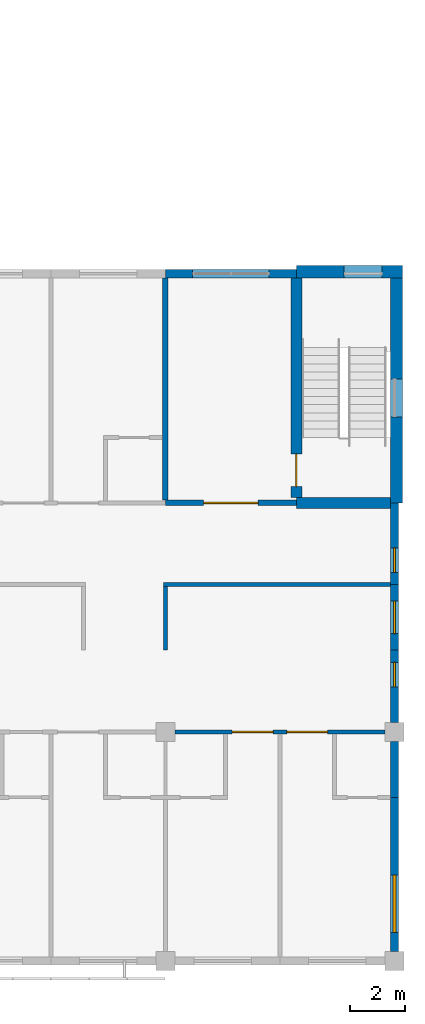
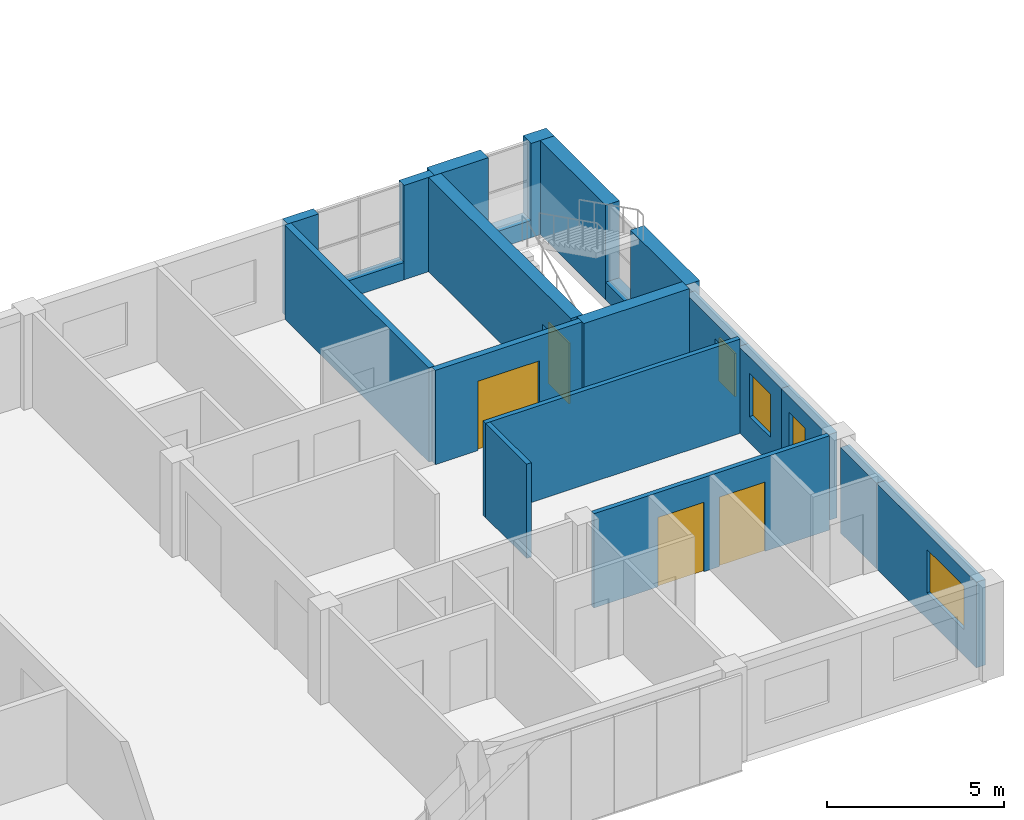
# One storey, part 38 of 46: 21 walls, 4 doors, 4 windows, 8 openings.
"""IFC4 building model written with IfcOpenShell, lengths in metres."""

from ifc_helpers import new_model, si_unit, direction, frame, frame_2d, origin, place, context, subcontext, project, spatial, rectangle, extrude, material, layer, layer_set, type_object, element, fill, save


model = new_model("IFC4")

# Units and contexts
model_context = context("Model", 3, precision=1e-05, world=origin(), true_north=direction((0.0, 1.0)))
body_context = subcontext(model_context, "Body", "Model", "MODEL_VIEW")
ifc_project = project(units=[si_unit("LENGTHUNIT", "METRE"), si_unit("AREAUNIT", "SQUARE_METRE"), si_unit("VOLUMEUNIT", "CUBIC_METRE"), si_unit("PLANEANGLEUNIT", "RADIAN"), si_unit("MASSUNIT", "GRAM", prefix="KILO")], contexts=[model_context])

# Site, building, storey
site_placement = place(None, origin())
site = spatial("IfcSite", under=ifc_project, at=site_placement, CompositionType="ELEMENT")
building_placement = place(site_placement, origin())
building = spatial("IfcBuilding", under=site, at=building_placement, Name="Yavir Park General Hospital", CompositionType="ELEMENT")
storey_placement = place(building_placement, frame((0.0, 0.0, 18.89990234375)))
storey = spatial("IfcBuildingStorey", under=building, at=storey_placement, Name="L04", CompositionType="ELEMENT", Elevation=18.89990234375)

# Wall, opening, door
ifc_material_1 = material(Name="Double gypsum board fire partition on steel studs", Category="steel")
ifc_layer_1 = layer(ifc_material_1, 0.199951171875)
ifc_layer_set_1 = layer_set([ifc_layer_1], Name="Double gypsum board fire partition on steel studs")
wall_type_1 = type_object("IfcWallType", Name="Fire-rated partition 200, EI 60", PredefinedType="PARTITIONING", material=ifc_layer_set_1)
wall_1_placement = place(storey_placement, frame((159.60009765625, 16.800048828125, 0.0), z_axis=(0.0, 0.0, 1.0), x_axis=(1.0, 0.0, 0.0)))
wall_1 = element("IfcWall", 1, at=wall_1_placement, inside=storey, type_object=wall_type_1, Name="FP20 L04-045", PredefinedType="PARTITIONING", context=body_context, shape_type="SweptSolid", body=[
    extrude(rectangle(XDim=4.7998046875, YDim=0.199951171875, at=frame_2d((2.39990234375, 0.0))), origin(), (0.0, 0.0, 1.0), 3.260009765625),
])
opening_1_placement = place(wall_1_placement, frame((1.39990234375, 0.0, 0.0)))
opening_1 = element("IfcOpeningElement", 2, at=opening_1_placement, cuts=wall_1, Name="Opening L04.D048", PredefinedType="OPENING", context=body_context, shape_type="SweptSolid", body=[
    extrude(rectangle(XDim=2.0, YDim=2.39990234375, at=frame_2d((1.0, 1.199951171875))), frame((0.0, 0.10986328125, 0.0), z_axis=(0.0, -1.0, 0.0), x_axis=(1.0, 0.0, 0.0)), (0.0, 0.0, 1.0), 0.219970703125),
])
ifc_material_2 = material(Name="Steel frame, fire-resisting leaves with vision panels", Category="steel")
door_type_1 = type_object("IfcDoorType", Name="Double fire door with vision panels 2000 x 2400, EI 60", OperationType="DOUBLE_DOOR_SINGLE_SWING", PredefinedType="DOOR", material=ifc_material_2)
door_1_placement = place(opening_1_placement, origin())
door_1 = element("IfcDoor", 3, at=door_1_placement, inside=storey, type_object=door_type_1, Name="L04.D048", OperationType="SINGLE_SWING_RIGHT", OverallHeight=2.39990234375, OverallWidth=2.0, PredefinedType="DOOR", context=body_context, shape_type="SweptSolid", body=[
    extrude(rectangle(XDim=2.0, YDim=2.39990234375, at=frame_2d((1.0, 1.199951171875))), frame((0.0, 0.030029296875, 0.0), z_axis=(0.0, -1.0, 0.0), x_axis=(1.0, 0.0, 0.0)), (0.0, 0.0, 1.0), 0.06005859375),
])
fill(opening_1, door_1)

# Wall
wall_2_placement = place(storey_placement, frame((159.60009765625, 16.89990234375, 0.0), z_axis=(0.0, 0.0, 1.0), x_axis=(0.0, 1.0, 0.0)))
element("IfcWall", 4, at=wall_2_placement, inside=storey, type_object=wall_type_1, Name="FP20 L04-272", PredefinedType="PARTITIONING", context=body_context, shape_type="SweptSolid", body=[
    extrude(rectangle(XDim=8.150146484375, YDim=0.199951171875, at=frame_2d((4.0751953125, 0.0))), origin(), (0.0, 0.0, 1.0), 3.260009765625),
])

# Wall, openings, doors
ifc_material_3 = material(Name="Gypsum board partition on steel studs", Category="steel")
ifc_layer_2 = layer(ifc_material_3, 0.14990234375)
ifc_layer_set_2 = layer_set([ifc_layer_2], Name="Gypsum board partition on steel studs")
wall_type_2 = type_object("IfcWallType", Name="Gypsum board partition 150", PredefinedType="PARTITIONING", material=ifc_layer_set_2)
wall_3_placement = place(storey_placement, frame((159.949951171875, 8.39990234375, 0.0), z_axis=(0.0, 0.0, 1.0), x_axis=(1.0, 0.0, 0.0)))
wall_3 = element("IfcWall", 5, at=wall_3_placement, inside=storey, type_object=wall_type_2, Name="P15 L04-023", PredefinedType="PARTITIONING", context=body_context, shape_type="SweptSolid", body=[
    extrude(rectangle(XDim=7.699951171875, YDim=0.14990234375, at=frame_2d((3.85009765625, 0.0))), origin(), (0.0, 0.0, 1.0), 3.260009765625),
])
opening_2_placement = place(wall_3_placement, frame((2.10009765625, 0.0, 0.0)))
opening_2 = element("IfcOpeningElement", 6, at=opening_2_placement, cuts=wall_3, Name="Opening L04.D030", PredefinedType="OPENING", context=body_context, shape_type="SweptSolid", body=[
    extrude(rectangle(XDim=1.5, YDim=2.39990234375, at=frame_2d((0.75, 1.199951171875))), frame((0.0, 0.0849609375, 0.0), z_axis=(0.0, -1.0, 0.0), x_axis=(1.0, 0.0, 0.0)), (0.0, 0.0, 1.0), 0.169921875),
])
opening_3_placement = place(wall_3_placement, frame((4.10009765625, 0.0, 0.0)))
opening_3 = element("IfcOpeningElement", 7, at=opening_3_placement, cuts=wall_3, Name="Opening L04.D031", PredefinedType="OPENING", context=body_context, shape_type="SweptSolid", body=[
    extrude(rectangle(XDim=1.5, YDim=2.39990234375, at=frame_2d((0.75, 1.199951171875))), frame((0.0, 0.0849609375, 0.0), z_axis=(0.0, -1.0, 0.0), x_axis=(1.0, 0.0, 0.0)), (0.0, 0.0, 1.0), 0.169921875),
])
ifc_material_4 = material(Name="Solid-core timber leaves, push plates, kick plates", Category="wood")
door_type_2 = type_object("IfcDoorType", Name="Bed door, unequal leaves 1500 x 2400", OperationType="DOUBLE_DOOR_SINGLE_SWING", PredefinedType="DOOR", material=ifc_material_4)
door_2_placement = place(opening_2_placement, origin())
door_2 = element("IfcDoor", 8, at=door_2_placement, inside=storey, type_object=door_type_2, Name="L04.D030", OperationType="SINGLE_SWING_LEFT", OverallHeight=2.39990234375, OverallWidth=1.5, PredefinedType="DOOR", context=body_context, shape_type="SweptSolid", body=[
    extrude(rectangle(XDim=1.5, YDim=2.39990234375, at=frame_2d((0.75, 1.199951171875))), frame((0.0, 0.030029296875, 0.0), z_axis=(0.0, -1.0, 0.0), x_axis=(1.0, 0.0, 0.0)), (0.0, 0.0, 1.0), 0.06005859375),
])
fill(opening_2, door_2)
door_3_placement = place(opening_3_placement, origin())
door_3 = element("IfcDoor", 9, at=door_3_placement, inside=storey, type_object=door_type_2, Name="L04.D031", OperationType="SINGLE_SWING_LEFT", OverallHeight=2.39990234375, OverallWidth=1.5, PredefinedType="DOOR", context=body_context, shape_type="SweptSolid", body=[
    extrude(rectangle(XDim=1.5, YDim=2.39990234375, at=frame_2d((0.75, 1.199951171875))), frame((0.0, 0.030029296875, 0.0), z_axis=(0.0, -1.0, 0.0), x_axis=(1.0, 0.0, 0.0)), (0.0, 0.0, 1.0), 0.06005859375),
])
fill(opening_3, door_3)

# Walls
wall_4_placement = place(storey_placement, frame((159.52490234375, 13.800048828125, 0.0), z_axis=(0.0, 0.0, 1.0), x_axis=(1.0, 0.0, 0.0)))
element("IfcWall", 10, at=wall_4_placement, inside=storey, type_object=wall_type_2, Name="P15 L04-035", PredefinedType="PARTITIONING", context=body_context, shape_type="SweptSolid", body=[
    extrude(rectangle(XDim=8.3251953125, YDim=0.14990234375, at=frame_2d((4.16259765625, 0.0))), origin(), (0.0, 0.0, 1.0), 3.260009765625),
])
wall_5_placement = place(storey_placement, frame((159.60009765625, 11.39990234375, 0.0), z_axis=(0.0, 0.0, 1.0), x_axis=(0.0, 1.0, 0.0)))
element("IfcWall", 11, at=wall_5_placement, inside=storey, type_object=wall_type_2, Name="P15 L04-271", PredefinedType="PARTITIONING", context=body_context, shape_type="SweptSolid", body=[
    extrude(rectangle(XDim=2.3251953125, YDim=0.14990234375, at=frame_2d((1.16259765625, 0.0))), origin(), (0.0, 0.0, 1.0), 3.260009765625),
])
ifc_material_5 = material(Name="Autoclaved aerated block, mineral wool and ochre mineral render")
ifc_layer_3 = layer(ifc_material_5, 0.300048828125)
ifc_layer_set_3 = layer_set([ifc_layer_3], Name="Autoclaved aerated block, mineral wool and ochre mineral render")
wall_type_3 = type_object("IfcWallType", Name="Ochre render ward wall 300, E 30", PredefinedType="SOLIDWALL", material=ifc_layer_set_3)
for number, where, z_axis, x_axis, name in (
    (12, (159.60009765625, 25.199951171875, 0.0), (0.0, 0.0, 1.0), (1.0, 0.0, 0.0), "XW7 L04-053"),
    (13, (163.39990234375, 25.199951171875, 0.0), (0.0, 0.0, 1.0), (1.0, 0.0, 0.0), "XW7 L04-054"),
):
    element("IfcWall", number, at=place(storey_placement, frame(where, z_axis=z_axis, x_axis=x_axis)), inside=storey, type_object=wall_type_3, Name=name, PredefinedType="SOLIDWALL", context=body_context, shape_type="SweptSolid", body=[
        extrude(rectangle(XDim=1.0, YDim=0.300048828125, at=frame_2d((0.5, 0.0))), origin(), (0.0, 0.0, 1.0), 3.260009765625),
    ])
wall_6_placement = place(storey_placement, frame((160.60009765625, 25.199951171875, 0.0), z_axis=(0.0, 0.0, 1.0), x_axis=(1.0, 0.0, 0.0)))
element("IfcWall", 14, at=wall_6_placement, inside=storey, type_object=wall_type_3, Name="XW7 L04-055", PredefinedType="SOLIDWALL", context=body_context, shape_type="SweptSolid", body=[
    extrude(rectangle(XDim=2.7998046875, YDim=0.300048828125, at=frame_2d((1.39990234375, 0.0))), origin(), (0.0, 0.0, 1.0), 0.60009765625),
])

# Wall, opening, window
wall_7_placement = place(storey_placement, frame((168.0, 0.35009765625, 0.0), z_axis=(0.0, 0.0, 1.0), x_axis=(0.0, 1.0, 0.0)))
wall_7 = element("IfcWall", 15, at=wall_7_placement, inside=storey, type_object=wall_type_3, Name="XW7 L04-141", PredefinedType="SOLIDWALL", context=body_context, shape_type="SweptSolid", body=[
    extrude(rectangle(XDim=5.64990234375, YDim=0.300048828125, at=frame_2d((2.824951171875, 0.0))), origin(), (0.0, 0.0, 1.0), 2.960205078125),
])
opening_4_placement = place(wall_7_placement, frame((0.699951171875, 0.0, 0.89990234375)))
opening_4 = element("IfcOpeningElement", 16, at=opening_4_placement, cuts=wall_7, Name="Opening WAR", PredefinedType="OPENING", context=body_context, shape_type="SweptSolid", body=[
    extrude(rectangle(XDim=2.10009765625, YDim=1.5, at=frame_2d((1.050048828125, 0.75))), frame((0.0, 0.159912109375, 0.0), z_axis=(0.0, -1.0, 0.0), x_axis=(1.0, 0.0, 0.0)), (0.0, 0.0, 1.0), 0.320068359375),
])
ifc_material_6 = material(Name="Aluminium frame, tilt-and-turn sash with opening restrictor, double glazed unit", Category="aluminium")
window_type_1 = type_object("IfcWindowType", Name="Ward window, restricted opening 2100 x 1500", PartitioningType="DOUBLE_PANEL_VERTICAL", PredefinedType="WINDOW", material=ifc_material_6)
window_1_placement = place(opening_4_placement, origin())
window_1 = element("IfcWindow", 17, at=window_1_placement, inside=storey, type_object=window_type_1, Name="WAR L04-051", OverallHeight=1.5, OverallWidth=2.10009765625, PartitioningType="DOUBLE_PANEL_VERTICAL", PredefinedType="WINDOW", context=body_context, shape_type="SweptSolid", body=[
    extrude(rectangle(XDim=2.10009765625, YDim=1.5, at=frame_2d((1.050048828125, 0.75))), frame((0.0, 0.050048828125, 0.0), z_axis=(0.0, -1.0, 0.0), x_axis=(1.0, 0.0, 0.0)), (0.0, 0.0, 1.0), 0.10009765625),
])
fill(opening_4, window_1)

# Wall
wall_8_placement = place(storey_placement, frame((168.0, 6.0, 0.0), z_axis=(0.0, 0.0, 1.0), x_axis=(0.0, 1.0, 0.0)))
element("IfcWall", 18, at=wall_8_placement, inside=storey, type_object=wall_type_3, Name="XW7 L04-142", PredefinedType="SOLIDWALL", context=body_context, shape_type="SweptSolid", body=[
    extrude(rectangle(XDim=2.050048828125, YDim=0.300048828125, at=frame_2d((1.02490234375, 0.0))), origin(), (0.0, 0.0, 1.0), 2.960205078125),
])

# Wall, opening, window
wall_9_placement = place(storey_placement, frame((168.0, 8.75, 0.0), z_axis=(0.0, 0.0, 1.0), x_axis=(0.0, 1.0, 0.0)))
wall_9 = element("IfcWall", 19, at=wall_9_placement, inside=storey, type_object=wall_type_3, Name="XW7 L04-143", PredefinedType="SOLIDWALL", context=body_context, shape_type="SweptSolid", body=[
    extrude(rectangle(XDim=2.64990234375, YDim=0.300048828125, at=frame_2d((1.324951171875, 0.0))), origin(), (0.0, 0.0, 1.0), 2.960205078125),
])
opening_5_placement = place(wall_9_placement, frame((1.300048828125, 0.0, 0.89990234375)))
opening_5 = element("IfcOpeningElement", 20, at=opening_5_placement, cuts=wall_9, Name="Opening WH", PredefinedType="OPENING", context=body_context, shape_type="SweptSolid", body=[
    extrude(rectangle(XDim=0.89990234375, YDim=1.5, at=frame_2d((0.449951171875, 0.75))), frame((0.0, 0.159912109375, 0.0), z_axis=(0.0, -1.0, 0.0), x_axis=(1.0, 0.0, 0.0)), (0.0, 0.0, 1.0), 0.320068359375),
])
ifc_material_7 = material(Name="Aluminium frame, double glazed unit", Category="aluminium")
window_type_2 = type_object("IfcWindowType", Name="Narrow window 900 x 1500", PartitioningType="SINGLE_PANEL", PredefinedType="WINDOW", material=ifc_material_7)
window_2_placement = place(opening_5_placement, origin())
window_2 = element("IfcWindow", 21, at=window_2_placement, inside=storey, type_object=window_type_2, Name="WH L04-052", OverallHeight=1.5, OverallWidth=0.89990234375, PartitioningType="SINGLE_PANEL", PredefinedType="WINDOW", context=body_context, shape_type="SweptSolid", body=[
    extrude(rectangle(XDim=0.89990234375, YDim=1.5, at=frame_2d((0.449951171875, 0.75))), frame((0.0, 0.030029296875, 0.0), z_axis=(0.0, -1.0, 0.0), x_axis=(1.0, 0.0, 0.0)), (0.0, 0.0, 1.0), 0.06005859375),
])
fill(opening_5, window_2)

wall_10_placement = place(storey_placement, frame((168.0, 11.39990234375, 0.0), z_axis=(0.0, 0.0, 1.0), x_axis=(0.0, 1.0, 0.0)))
wall_10 = element("IfcWall", 22, at=wall_10_placement, inside=storey, type_object=wall_type_3, Name="XW7 L04-144", PredefinedType="SOLIDWALL", context=body_context, shape_type="SweptSolid", body=[
    extrude(rectangle(XDim=2.400146484375, YDim=0.300048828125, at=frame_2d((1.2001953125, 0.0))), origin(), (0.0, 0.0, 1.0), 2.960205078125),
])
opening_6_placement = place(wall_10_placement, frame((0.60009765625, 0.0, 0.89990234375)))
opening_6 = element("IfcOpeningElement", 23, at=opening_6_placement, cuts=wall_10, Name="Opening WD", PredefinedType="OPENING", context=body_context, shape_type="SweptSolid", body=[
    extrude(rectangle(XDim=1.199951171875, YDim=1.5, at=frame_2d((0.60009765625, 0.75))), frame((0.0, 0.159912109375, 0.0), z_axis=(0.0, -1.0, 0.0), x_axis=(1.0, 0.0, 0.0)), (0.0, 0.0, 1.0), 0.320068359375),
])
ifc_material_8 = material(Name="Aluminium frame, double glazed unit", Category="aluminium")
window_type_3 = type_object("IfcWindowType", Name="Office window 1200 x 1500", PartitioningType="SINGLE_PANEL", PredefinedType="WINDOW", material=ifc_material_8)
window_3_placement = place(opening_6_placement, origin())
window_3 = element("IfcWindow", 24, at=window_3_placement, inside=storey, type_object=window_type_3, Name="WD L04-053", OverallHeight=1.5, OverallWidth=1.199951171875, PartitioningType="SINGLE_PANEL", PredefinedType="WINDOW", context=body_context, shape_type="SweptSolid", body=[
    extrude(rectangle(XDim=1.199951171875, YDim=1.5, at=frame_2d((0.60009765625, 0.75))), frame((0.0, 0.030029296875, 0.0), z_axis=(0.0, -1.0, 0.0), x_axis=(1.0, 0.0, 0.0)), (0.0, 0.0, 1.0), 0.06005859375),
])
fill(opening_6, window_3)

wall_11_placement = place(storey_placement, frame((168.0, 13.800048828125, 0.0), z_axis=(0.0, 0.0, 1.0), x_axis=(0.0, 1.0, 0.0)))
wall_11 = element("IfcWall", 25, at=wall_11_placement, inside=storey, type_object=wall_type_3, Name="XW7 L04-145", PredefinedType="SOLIDWALL", context=body_context, shape_type="SweptSolid", body=[
    extrude(rectangle(XDim=3.0, YDim=0.300048828125, at=frame_2d((1.5, 0.0))), origin(), (0.0, 0.0, 1.0), 2.960205078125),
])
opening_7_placement = place(wall_11_placement, frame((0.449951171875, 0.0, 0.89990234375)))
opening_7 = element("IfcOpeningElement", 26, at=opening_7_placement, cuts=wall_11, Name="Opening WH", PredefinedType="OPENING", context=body_context, shape_type="SweptSolid", body=[
    extrude(rectangle(XDim=0.89990234375, YDim=1.5, at=frame_2d((0.449951171875, 0.75))), frame((0.0, 0.159912109375, 0.0), z_axis=(0.0, -1.0, 0.0), x_axis=(1.0, 0.0, 0.0)), (0.0, 0.0, 1.0), 0.320068359375),
])
window_4_placement = place(opening_7_placement, origin())
window_4 = element("IfcWindow", 27, at=window_4_placement, inside=storey, type_object=window_type_2, Name="WH L04-054", OverallHeight=1.5, OverallWidth=0.89990234375, PartitioningType="SINGLE_PANEL", PredefinedType="WINDOW", context=body_context, shape_type="SweptSolid", body=[
    extrude(rectangle(XDim=0.89990234375, YDim=1.5, at=frame_2d((0.449951171875, 0.75))), frame((0.0, 0.030029296875, 0.0), z_axis=(0.0, -1.0, 0.0), x_axis=(1.0, 0.0, 0.0)), (0.0, 0.0, 1.0), 0.06005859375),
])
fill(opening_7, window_4)

# Wall
ifc_material_9 = material(Name="Concrete C35/45", Category="concrete")
ifc_layer_4 = layer(ifc_material_9, 0.39990234375)
ifc_layer_set_4 = layer_set([ifc_layer_4], Name="Concrete C35/45")
wall_type_4 = type_object("IfcWallType", Name="Reinforced concrete core wall 400, REI 150", PredefinedType="SHEAR", material=ifc_layer_set_4)
wall_12_placement = place(storey_placement, frame((164.39990234375, 16.800048828125, 0.0), z_axis=(0.0, 0.0, 1.0), x_axis=(1.0, 0.0, 0.0)))
element("IfcWall", 28, at=wall_12_placement, inside=storey, type_object=wall_type_4, Name="CW40 L04-046", PredefinedType="SHEAR", context=body_context, shape_type="SweptSolid", body=[
    extrude(rectangle(XDim=3.4501953125, YDim=0.39990234375, at=frame_2d((1.72509765625, 0.0))), origin(), (0.0, 0.0, 1.0), 3.260009765625),
])

# Wall, opening, door
wall_13_placement = place(storey_placement, frame((164.39990234375, 17.0, 0.0), z_axis=(0.0, 0.0, 1.0), x_axis=(0.0, 1.0, 0.0)))
wall_13 = element("IfcWall", 29, at=wall_13_placement, inside=storey, type_object=wall_type_4, Name="CW40 L04-275", PredefinedType="SHEAR", context=body_context, shape_type="SweptSolid", body=[
    extrude(rectangle(XDim=8.050048828125, YDim=0.39990234375, at=frame_2d((4.02490234375, 0.0))), origin(), (0.0, 0.0, 1.0), 3.260009765625),
])
opening_8_placement = place(wall_13_placement, frame((0.39990234375, 0.0, 0.0)))
opening_8 = element("IfcOpeningElement", 30, at=opening_8_placement, cuts=wall_13, Name="Opening L04.D153", PredefinedType="OPENING", context=body_context, shape_type="SweptSolid", body=[
    extrude(rectangle(XDim=1.199951171875, YDim=2.10009765625, at=frame_2d((0.60009765625, 1.050048828125))), frame((0.0, 0.2099609375, 0.0), z_axis=(0.0, -1.0, 0.0), x_axis=(1.0, 0.0, 0.0)), (0.0, 0.0, 1.0), 0.419921875),
])
ifc_material_10 = material(Name="Steel frame, fire-resisting timber leaf", Category="steel")
door_type_3 = type_object("IfcDoorType", Name="Fire door 1200 x 2100, EI 60", OperationType="SINGLE_SWING_LEFT", PredefinedType="DOOR", material=ifc_material_10)
door_4_placement = place(opening_8_placement, origin())
door_4 = element("IfcDoor", 31, at=door_4_placement, inside=storey, type_object=door_type_3, Name="L04.D153", OperationType="SINGLE_SWING_LEFT", OverallHeight=2.10009765625, OverallWidth=1.199951171875, PredefinedType="DOOR", context=body_context, shape_type="SweptSolid", body=[
    extrude(rectangle(XDim=1.199951171875, YDim=2.10009765625, at=frame_2d((0.60009765625, 1.050048828125))), frame((0.0, 0.02490234375, 0.0), z_axis=(0.0, -1.0, 0.0), x_axis=(1.0, 0.0, 0.0)), (0.0, 0.0, 1.0), 0.050048828125),
])
fill(opening_8, door_4)

# Walls
ifc_material_11 = material(Name="Concrete C30/37 precast panel with 150 mm mineral wool insulation", Category="concrete")
ifc_layer_5 = layer(ifc_material_11, 0.449951171875)
ifc_layer_set_5 = layer_set([ifc_layer_5], Name="Concrete C30/37 precast panel with 150 mm mineral wool insulation")
wall_type_5 = type_object("IfcWallType", Name="Stair enclosure wall 450, REI 150", PredefinedType="SOLIDWALL", material=ifc_layer_set_5)
wall_14_placement = place(storey_placement, frame((164.39990234375, 25.27490234375, 0.0), z_axis=(0.0, 0.0, 1.0), x_axis=(1.0, 0.0, 0.0)))
element("IfcWall", 32, at=wall_14_placement, inside=storey, type_object=wall_type_5, Name="XW6 L04-056", PredefinedType="SOLIDWALL", context=body_context, shape_type="SweptSolid", body=[
    extrude(rectangle(XDim=1.75, YDim=0.449951171875, at=frame_2d((0.875, 0.0))), origin(), (0.0, 0.0, 1.0), 3.260009765625),
])
wall_15_placement = place(storey_placement, frame((167.550048828125, 25.27490234375, 0.0), z_axis=(0.0, 0.0, 1.0), x_axis=(1.0, 0.0, 0.0)))
element("IfcWall", 33, at=wall_15_placement, inside=storey, type_object=wall_type_5, Name="XW6 L04-057", PredefinedType="SOLIDWALL", context=body_context, shape_type="SweptSolid", body=[
    extrude(rectangle(XDim=0.75, YDim=0.449951171875, at=frame_2d((0.375, 0.0))), origin(), (0.0, 0.0, 1.0), 3.260009765625),
])
wall_16_placement = place(storey_placement, frame((166.14990234375, 25.27490234375, 0.0), z_axis=(0.0, 0.0, 1.0), x_axis=(1.0, 0.0, 0.0)))
element("IfcWall", 34, at=wall_16_placement, inside=storey, type_object=wall_type_5, Name="XW6 L04-058", PredefinedType="SOLIDWALL", context=body_context, shape_type="SweptSolid", body=[
    extrude(rectangle(XDim=1.400146484375, YDim=0.449951171875, at=frame_2d((0.7001953125, 0.0))), origin(), (0.0, 0.0, 1.0), 0.60009765625),
])
wall_17_placement = place(storey_placement, frame((168.074951171875, 16.800048828125, 0.0), z_axis=(0.0, 0.0, 1.0), x_axis=(0.0, 1.0, 0.0)))
element("IfcWall", 35, at=wall_17_placement, inside=storey, type_object=wall_type_5, Name="XW6 L04-146", PredefinedType="SOLIDWALL", context=body_context, shape_type="SweptSolid", body=[
    extrude(rectangle(XDim=3.14990234375, YDim=0.449951171875, at=frame_2d((1.574951171875, 0.0))), origin(), (0.0, 0.0, 1.0), 3.260009765625),
])
wall_18_placement = place(storey_placement, frame((168.074951171875, 21.35009765625, 0.0), z_axis=(0.0, 0.0, 1.0), x_axis=(0.0, 1.0, 0.0)))
element("IfcWall", 36, at=wall_18_placement, inside=storey, type_object=wall_type_5, Name="XW6 L04-147", PredefinedType="SOLIDWALL", context=body_context, shape_type="SweptSolid", body=[
    extrude(rectangle(XDim=3.699951171875, YDim=0.449951171875, at=frame_2d((1.85009765625, 0.0))), origin(), (0.0, 0.0, 1.0), 3.260009765625),
])
wall_19_placement = place(storey_placement, frame((168.074951171875, 19.949951171875, 0.0), z_axis=(0.0, 0.0, 1.0), x_axis=(0.0, 1.0, 0.0)))
element("IfcWall", 37, at=wall_19_placement, inside=storey, type_object=wall_type_5, Name="XW6 L04-148", PredefinedType="SOLIDWALL", context=body_context, shape_type="SweptSolid", body=[
    extrude(rectangle(XDim=1.400146484375, YDim=0.449951171875, at=frame_2d((0.7001953125, 0.0))), origin(), (0.0, 0.0, 1.0), 0.60009765625),
])

save(model, "model.ifc")
